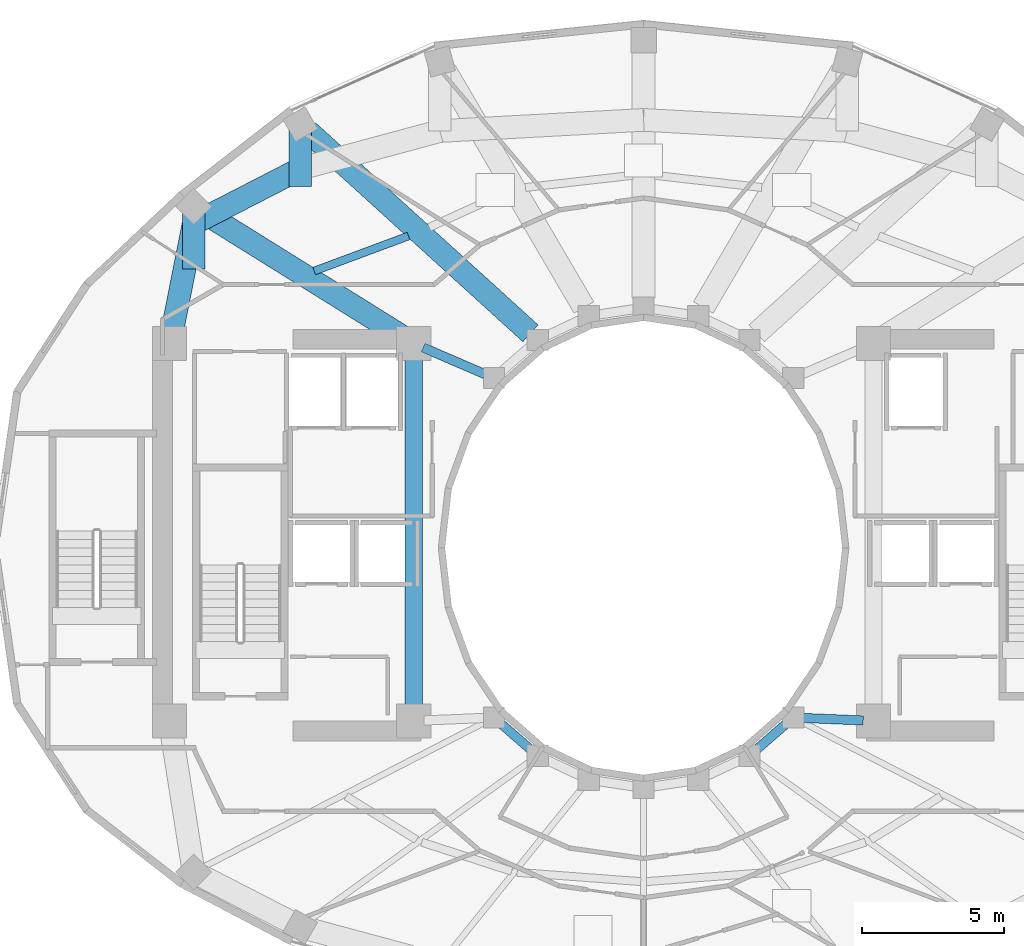
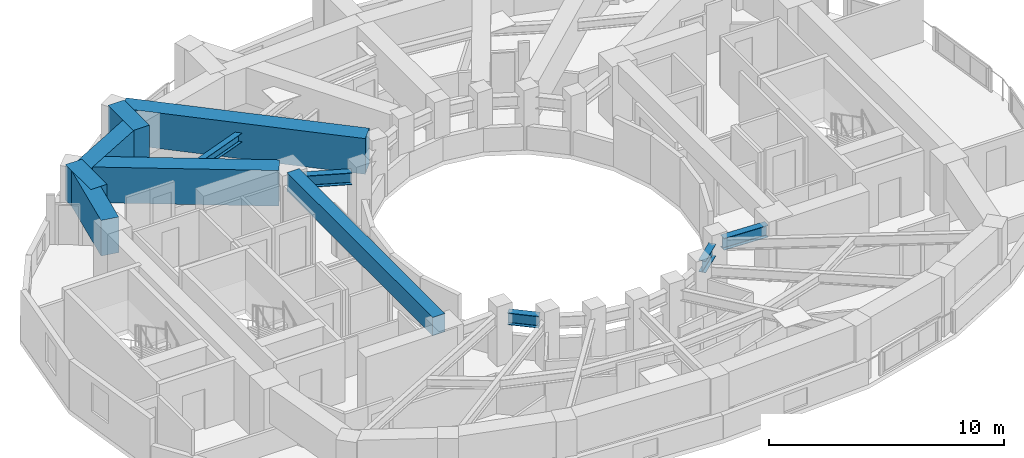
# One storey, part 5 of 20: 12 beams.
"""IFC4 building model written with IfcOpenShell, lengths in metres."""

import ifcopenshell
import ifcopenshell.guid

model = None  # the IFC model being written
_history = None  # IfcOwnerHistory: only IFC2X3 demands one
_inside = {}  # id of a spatial element -> (the spatial element, [elements in it])
_under = {}  # id of a project, library or spatial element -> (it, [spatial elements below it])
_declared = {}  # id of a project -> (the project, [libraries it declares])
_typed = {}  # id of a type object -> (the type object, [elements of that type])
_made_of = {}  # id of a material, layer set ... -> (it, [elements and type objects made of it])


def new_model(schema):
    """Start an empty IFC model of exactly this schema.

    Asked for "IFC4X3", IfcOpenShell would pick the latest addendum, in which some entities
    have other attributes; the version numbers below select the first issue.
    IFC2X3 requires an IfcOwnerHistory on every rooted entity: one is made here for all.
    """
    global model, _history
    if schema == "IFC4X3":
        model = ifcopenshell.file(schema_version=(4, 3, 0, 0))
    else:
        model = ifcopenshell.file(schema=schema)
    _inside.clear()
    _under.clear()
    _declared.clear()
    _typed.clear()
    _made_of.clear()
    _history = None
    if model.schema == "IFC2X3":
        org = make("IfcOrganization", Name="unknown")
        user = make(
            "IfcPersonAndOrganization",
            ThePerson=make("IfcPerson", FamilyName="unknown"),
            TheOrganization=org,
        )
        app = make(
            "IfcApplication",
            ApplicationDeveloper=org,
            Version="unknown",
            ApplicationFullName="unknown",
            ApplicationIdentifier="unknown",
        )
        _history = make(
            "IfcOwnerHistory",
            OwningUser=user,
            OwningApplication=app,
            ChangeAction="ADDED",
            CreationDate=0,
        )
    return model


def make(cls, **values):
    """One entity of the class cls with the attributes given. An attribute that is None is left unset."""
    return model.create_entity(
        cls, **{name: value for name, value in values.items() if value is not None}
    )


def rooted(cls, **values):
    """An entity with a GlobalId (a new one), such as an element, a storey or a relation."""
    return make(cls, GlobalId=ifcopenshell.guid.new(), OwnerHistory=_history, **values)


def si_unit(unit_type, name, prefix=None):
    """IfcSIUnit, for example si_unit("LENGTHUNIT", "METRE", prefix="MILLI")."""
    return make("IfcSIUnit", UnitType=unit_type, Prefix=prefix, Name=name)


def assignment(units):
    """IfcUnitAssignment: the units of a project."""
    return None if units is None else make("IfcUnitAssignment", Units=units)


def point(xyz):
    """IfcCartesianPoint."""
    return None if xyz is None else make("IfcCartesianPoint", Coordinates=xyz)


def direction(xyz):
    """IfcDirection."""
    return None if xyz is None else make("IfcDirection", DirectionRatios=xyz)


def frame(location, z_axis=None, x_axis=None):
    """IfcAxis2Placement3D, a coordinate frame: its origin and axes. An axis left out is left unset."""
    return make(
        "IfcAxis2Placement3D",
        Location=point(location),
        Axis=direction(z_axis),
        RefDirection=direction(x_axis),
    )


def frame_2d(location, x_axis=None):
    """IfcAxis2Placement2D, a coordinate frame in the plane: its origin and x axis."""
    return make(
        "IfcAxis2Placement2D", Location=point(location), RefDirection=direction(x_axis)
    )


def origin():
    """The frame at (0, 0, 0) with its axes left unset."""
    return frame((0.0, 0.0, 0.0))


def origin_2d():
    """The frame at (0, 0) in the plane with its x axis left unset."""
    return frame_2d((0.0, 0.0))


def place(relative_to, where):
    """IfcLocalPlacement: puts the frame where relative to a parent placement (None: the world)."""
    return make(
        "IfcLocalPlacement", PlacementRelTo=relative_to, RelativePlacement=where
    )


def context(
    kind, dimensions, precision=None, world=None, true_north=None, identifier=None
):
    """IfcGeometricRepresentationContext, for example the 3D "Model" context."""
    return make(
        "IfcGeometricRepresentationContext",
        ContextIdentifier=identifier,
        ContextType=kind,
        CoordinateSpaceDimension=dimensions,
        Precision=precision,
        WorldCoordinateSystem=world,
        TrueNorth=true_north,
    )


def subcontext(parent, identifier, kind, view, scale=None):
    """IfcGeometricRepresentationSubContext, for example "Body" below "Model"."""
    return make(
        "IfcGeometricRepresentationSubContext",
        ContextIdentifier=identifier,
        ContextType=kind,
        ParentContext=parent,
        TargetScale=scale,
        TargetView=view,
    )


def project(units=None, contexts=None):
    """IfcProject with its units and contexts."""
    return rooted(
        "IfcProject",
        Name="project",
        RepresentationContexts=contexts,
        UnitsInContext=assignment(units),
    )


def spatial(cls, under=None, at=None, **own):
    """A site, building, storey or space (cls), placed at a placement, below another one or the project."""
    s = rooted(cls, ObjectPlacement=at, **own)
    if under is not None:
        _under.setdefault(under.id(), (under, []))[1].append(s)
    return s


def profile(cls, at=None, kind="AREA", **sizes):
    """A parametric profile (cls). Its sizes go by their IFC names, for example OverallWidth=200.0."""
    return make(cls, ProfileType=kind, Position=at, **sizes)


def rectangle(**sizes):
    """IfcRectangleProfileDef."""
    return profile("IfcRectangleProfileDef", **sizes)


def i_section(**sizes):
    """IfcIShapeProfileDef."""
    return profile("IfcIShapeProfileDef", **sizes)


def extrude(swept, where, along, depth):
    """IfcExtrudedAreaSolid: the profile swept, set in the frame where, extruded along a direction by depth."""
    return make(
        "IfcExtrudedAreaSolid",
        SweptArea=swept,
        Position=where,
        ExtrudedDirection=direction(along),
        Depth=depth,
    )


def shape(context_of_items, identifier, shape_type, items):
    """IfcShapeRepresentation: the items that make up one representation, for example the "Body"."""
    return make(
        "IfcShapeRepresentation",
        ContextOfItems=context_of_items,
        RepresentationIdentifier=identifier,
        RepresentationType=shape_type,
        Items=items,
    )


def material(Name=None, Category=None):
    """IfcMaterial."""
    return make("IfcMaterial", Name=Name, Category=Category)


def material_profile(
    of_material, cross_section, Name=None, Category=None, Priority=None
):
    """IfcMaterialProfile: a cross section and its material."""
    return make(
        "IfcMaterialProfile",
        Name=Name,
        Material=of_material,
        Profile=cross_section,
        Priority=Priority,
        Category=Category,
    )


def profile_set(profiles, Name=None, composite=None):
    """IfcMaterialProfileSet."""
    return make(
        "IfcMaterialProfileSet",
        Name=Name,
        MaterialProfiles=profiles,
        CompositeProfile=composite,
    )


def made_of(thing, what):
    """Note that an element or type object is made of a material, layer set ...; save() writes the relation."""
    if what is not None:
        _made_of.setdefault(what.id(), (what, []))[1].append(thing)
    return thing


def type_object(cls, material=None, **own):
    """A type object (cls), such as IfcWallType, which elements share."""
    return made_of(rooted(cls, **own), material)


def element(
    cls,
    number,
    at=None,
    inside=None,
    cuts=None,
    type_object=None,
    material=None,
    context=None,
    identifier="Body",
    shape_type=None,
    held_by="IfcProductDefinitionShape",
    body=None,
    shapes=None,
    **own,
):
    """One element of the class cls, such as IfcWall. Its Tag is "e" and its number.

    at: its placement. inside: the storey or other place that contains it. cuts: it is an
    opening in that element (IfcRelVoidsElement). A single representation is given by context,
    identifier, shape_type and body (its items); several are given by shapes. held_by: the class
    of the entity that holds the representations. save() writes the other relations.
    """
    e = rooted(cls, Tag="e%d" % number, ObjectPlacement=at, **own)
    if body is not None:
        shapes = [shape(context, identifier, shape_type, body)]
    if shapes is not None:
        e.Representation = make(held_by, Representations=shapes)
    if inside is not None:
        _inside.setdefault(inside.id(), (inside, []))[1].append(e)
    if cuts is not None:
        rooted(
            "IfcRelVoidsElement", RelatingBuildingElement=cuts, RelatedOpeningElement=e
        )
    if type_object is not None:
        _typed.setdefault(type_object.id(), (type_object, []))[1].append(e)
    return made_of(e, material)


def aggregate(whole, parts):
    """IfcRelAggregates: a whole, such as a stair, and the parts it consists of."""
    return rooted("IfcRelAggregates", RelatingObject=whole, RelatedObjects=parts)


def save(model, path):
    """Write the relations noted so far, then the file.

    IfcRelAggregates (storeys below a building ...), IfcRelContainedInSpatialStructure (elements
    in a storey), IfcRelDefinesByType, IfcRelAssociatesMaterial and IfcRelDeclares: one each for
    every whole, place, type object, material and project.
    """
    for whole, parts in _under.values():
        aggregate(whole, parts)
    for where, things in _inside.values():
        rooted(
            "IfcRelContainedInSpatialStructure",
            RelatedElements=things,
            RelatingStructure=where,
        )
    for kind, things in _typed.values():
        rooted("IfcRelDefinesByType", RelatedObjects=things, RelatingType=kind)
    for what, things in _made_of.values():
        rooted("IfcRelAssociatesMaterial", RelatedObjects=things, RelatingMaterial=what)
    for by, libraries in _declared.values():
        rooted("IfcRelDeclares", RelatingContext=by, RelatedDefinitions=libraries)
    model.write(path)


model = new_model("IFC4")

# Units and contexts
model_context = context("Model", 3, precision=1e-05, world=origin(), true_north=direction((0.0, 1.0)))
body_context = subcontext(model_context, "Body", "Model", "MODEL_VIEW")
ifc_project = project(units=[si_unit("LENGTHUNIT", "METRE"), si_unit("AREAUNIT", "SQUARE_METRE"), si_unit("VOLUMEUNIT", "CUBIC_METRE"), si_unit("PLANEANGLEUNIT", "RADIAN"), si_unit("MASSUNIT", "GRAM", prefix="KILO")], contexts=[model_context])

# Site, building, storey
site_placement = place(None, origin())
site = spatial("IfcSite", under=ifc_project, at=site_placement, CompositionType="ELEMENT")
building_placement = place(site_placement, origin())
building = spatial("IfcBuilding", under=site, at=building_placement, Name="Solvane Sanctuary Tower", CompositionType="ELEMENT")
storey_placement = place(building_placement, frame((0.0, 0.0, 159.10009765625)))
storey = spatial("IfcBuildingStorey", under=building, at=storey_placement, Name="L48", CompositionType="ELEMENT", Elevation=159.10009765625)

# Beams
ifc_material_1 = material(Name="Concrete C70/85", Category="concrete")
ifc_material_profile_1 = material_profile(ifc_material_1, rectangle(XDim=0.60009765625, YDim=0.949951171875, at=origin_2d()), Name="RC600X950")
ifc_profile_set_1 = profile_set([ifc_material_profile_1], Name="Concrete C70/85")
beam_type_1 = type_object("IfcBeamType", Name="Beam B-COUPLE RC600X950", PredefinedType="LINTEL", material=ifc_profile_set_1)
beam_1_placement = place(storey_placement, frame((23.89990234375, 17.35009765625, 2.625), z_axis=(0.0, 1.0, 0.0), x_axis=(-1.0, 0.0, 0.0)))
element("IfcBeam", 1, at=beam_1_placement, inside=storey, type_object=beam_type_1, Name="L48 West Core Coupling Lintel", PredefinedType="LINTEL", context=body_context, shape_type="SweptSolid", body=[
    extrude(rectangle(XDim=0.60009765625, YDim=0.949951171875, at=origin_2d()), origin(), (0.0, 0.0, 1.0), 12.39990234375),
])
ifc_material_2 = material(Name="Steel ASTM A992 Grade 50", Category="steel")
ifc_material_profile_2 = material_profile(ifc_material_2, i_section(OverallWidth=0.324951171875, OverallDepth=0.615966796875, WebThickness=0.013916015625, FlangeThickness=0.021484375, FilletRadius=0.01611328125, at=origin_2d()), Name="W24X117")
ifc_profile_set_2 = profile_set([ifc_material_profile_2], Name="Steel ASTM A992 Grade 50")
beam_type_2 = type_object("IfcBeamType", Name="Beam B-RING-IN2 W24X117", PredefinedType="BEAM", material=ifc_profile_set_2)
beam_2_placement = place(storey_placement, frame((24.230712890625, 30.0576171875, 2.289794921875), z_axis=(0.918264067649, -0.395968561966, 0.0), x_axis=(0.395968561966, 0.918264067649, 0.0)))
element("IfcBeam", 2, at=beam_2_placement, inside=storey, type_object=beam_type_2, Name="L48 Inner Light-Well Ring Beam CW3-IC07", PredefinedType="BEAM", context=body_context, shape_type="SweptSolid", body=[
    extrude(i_section(OverallWidth=0.324951171875, OverallDepth=0.615966796875, WebThickness=0.013916015625, FlangeThickness=0.021484375, FilletRadius=0.01611328125, at=origin_2d()), origin(), (0.0, 0.0, 1.0), 2.371337890625),
])
for number, where, z_axis, x_axis, name in (
    (3, (26.9853515625, 16.79150390625, 2.289794921875), (0.754311313851, -0.656516901379, 0.0), (0.656516901379, 0.754311313851, 0.0), "L48 Inner Light-Well Ring Beam IC08-IC09"),
    (4, (35.990234375, 15.89990234375, 2.289794921875), (0.754311313851, 0.656516901379, 0.0), (-0.656516901379, 0.754311313851, 0.0), "L48 Inner Light-Well Ring Beam IC13-IC14"),
):
    element("IfcBeam", number, at=place(storey_placement, frame(where, z_axis=z_axis, x_axis=x_axis)), inside=storey, type_object=beam_type_2, Name=name, PredefinedType="BEAM", context=body_context, shape_type="SweptSolid", body=[
        extrude(i_section(OverallWidth=0.324951171875, OverallDepth=0.615966796875, WebThickness=0.013916015625, FlangeThickness=0.021484375, FilletRadius=0.01611328125, at=origin_2d()), origin(), (0.0, 0.0, 1.0), 1.358154296875),
    ])
beam_3_placement = place(storey_placement, frame((37.61962890625, 17.00341796875, 2.289794921875), z_axis=(0.999132674336, -0.041640113759, 0.0), x_axis=(0.041640113759, 0.999132674336, 0.0)))
element("IfcBeam", 5, at=beam_3_placement, inside=storey, type_object=beam_type_2, Name="L48 Inner Light-Well Ring Beam IC14-CE1", PredefinedType="BEAM", context=body_context, shape_type="SweptSolid", body=[
    extrude(i_section(OverallWidth=0.324951171875, OverallDepth=0.615966796875, WebThickness=0.013916015625, FlangeThickness=0.021484375, FilletRadius=0.01611328125, at=origin_2d()), origin(), (0.0, 0.0, 1.0), 2.12255859375),
])
ifc_material_profile_3 = material_profile(ifc_material_2, i_section(OverallWidth=0.280029296875, OverallDepth=0.462890625, WebThickness=0.0107421875, FlangeThickness=0.017333984375, FilletRadius=0.013916015625, at=origin_2d()), Name="W18X76")
ifc_profile_set_3 = profile_set([ifc_material_profile_3], Name="Steel ASTM A992 Grade 50")
beam_type_3 = type_object("IfcBeamType", Name="Beam B-SEC-JOIST W18X76", PredefinedType="JOIST", material=ifc_profile_set_3)
beam_4_placement = place(storey_placement, frame((20.391845703125, 32.753173828125, 2.366455078125), z_axis=(0.93726788939, 0.348609959006, 0.0), x_axis=(-0.348609959006, 0.93726788939, 0.0)))
element("IfcBeam", 6, at=beam_4_placement, inside=storey, type_object=beam_type_3, Name="L48 Secondary Circumferential Joist 07-06", PredefinedType="JOIST", context=body_context, shape_type="SweptSolid", body=[
    extrude(i_section(OverallWidth=0.280029296875, OverallDepth=0.462890625, WebThickness=0.0107421875, FlangeThickness=0.017333984375, FilletRadius=0.013916015625, at=origin_2d()), origin(), (0.0, 0.0, 1.0), 3.54638671875),
])
ifc_material_profile_4 = material_profile(ifc_material_1, rectangle(XDim=0.800048828125, YDim=1.85009765625, at=origin_2d()), Name="RC800X1850")
ifc_profile_set_4 = profile_set([ifc_material_profile_4], Name="Concrete C70/85")
beam_type_4 = type_object("IfcBeamType", Name="Beam B-XFER-BLK RC800X1850", PredefinedType="BEAM", material=ifc_profile_set_4)
beam_5_placement = place(storey_placement, frame((28.0146484375, 30.55859375, 2.1748046875), z_axis=(-0.740204975918, 0.672381285898, 0.0), x_axis=(-0.672381285898, -0.740204975918, 0.0)))
element("IfcBeam", 7, at=beam_5_placement, inside=storey, type_object=beam_type_4, Name="L48 Block-Shift Radial Transfer Girder 06A", PredefinedType="BEAM", context=body_context, shape_type="SweptSolid", body=[
    extrude(rectangle(XDim=0.800048828125, YDim=1.85009765625, at=origin_2d()), origin(), (0.0, 0.0, 1.0), 10.590087890625),
])
beam_6_placement = place(storey_placement, frame((19.90185546875, 37.8779296875, 2.1748046875), z_axis=(0.0, -1.0, 0.0), x_axis=(1.0, 0.0, 0.0)))
element("IfcBeam", 8, at=beam_6_placement, inside=storey, type_object=beam_type_4, Name="L48 Block-Shift Transfer Tie 06B", PredefinedType="BEAM", context=body_context, shape_type="SweptSolid", body=[
    extrude(rectangle(XDim=0.800048828125, YDim=1.85009765625, at=origin_2d()), origin(), (0.0, 0.0, 1.0), 2.14990234375),
])
beam_7_placement = place(storey_placement, frame((23.594482421875, 30.390380859375, 2.1748046875), z_axis=(-0.848827580256, 0.528669782565, 0.0), x_axis=(-0.528669782565, -0.848827580256, 0.0)))
element("IfcBeam", 9, at=beam_7_placement, inside=storey, type_object=beam_type_4, Name="L48 Block-Shift Radial Transfer Girder 07A", PredefinedType="BEAM", context=body_context, shape_type="SweptSolid", body=[
    extrude(rectangle(XDim=0.800048828125, YDim=1.85009765625, at=origin_2d()), origin(), (0.0, 0.0, 1.0), 8.407958984375),
])
beam_8_placement = place(storey_placement, frame((16.143310546875, 34.981201171875, 2.1748046875), z_axis=(0.0, -1.0, 0.0), x_axis=(1.0, 0.0, 0.0)))
element("IfcBeam", 10, at=beam_8_placement, inside=storey, type_object=beam_type_4, Name="L48 Block-Shift Transfer Tie 07B", PredefinedType="BEAM", context=body_context, shape_type="SweptSolid", body=[
    extrude(rectangle(XDim=0.800048828125, YDim=1.85009765625, at=origin_2d()), origin(), (0.0, 0.0, 1.0), 2.150146484375),
])
beam_9_placement = place(storey_placement, frame((15.37060546875, 30.552978515625, 2.1748046875), z_axis=(0.19562876256, 0.980678024256, 0.0), x_axis=(-0.980678024256, 0.19562876256, 0.0)))
element("IfcBeam", 11, at=beam_9_placement, inside=storey, type_object=beam_type_4, Name="L48 Perimeter Step Transfer Ring CW4-NTC07", PredefinedType="BEAM", context=body_context, shape_type="SweptSolid", body=[
    extrude(rectangle(XDim=0.800048828125, YDim=1.85009765625, at=origin_2d()), origin(), (0.0, 0.0, 1.0), 3.949951171875),
])
beam_10_placement = place(storey_placement, frame((16.143310546875, 34.426513671875, 2.1748046875), z_axis=(0.889297870953, 0.457328434189, 0.0), x_axis=(-0.457328434189, 0.889297870953, 0.0)))
element("IfcBeam", 12, at=beam_10_placement, inside=storey, type_object=beam_type_4, Name="L48 Perimeter Step Transfer Ring NTC07-NTC06", PredefinedType="BEAM", context=body_context, shape_type="SweptSolid", body=[
    extrude(rectangle(XDim=0.800048828125, YDim=1.85009765625, at=origin_2d()), origin(), (0.0, 0.0, 1.0), 4.226318359375),
])

save(model, "model.ifc")
